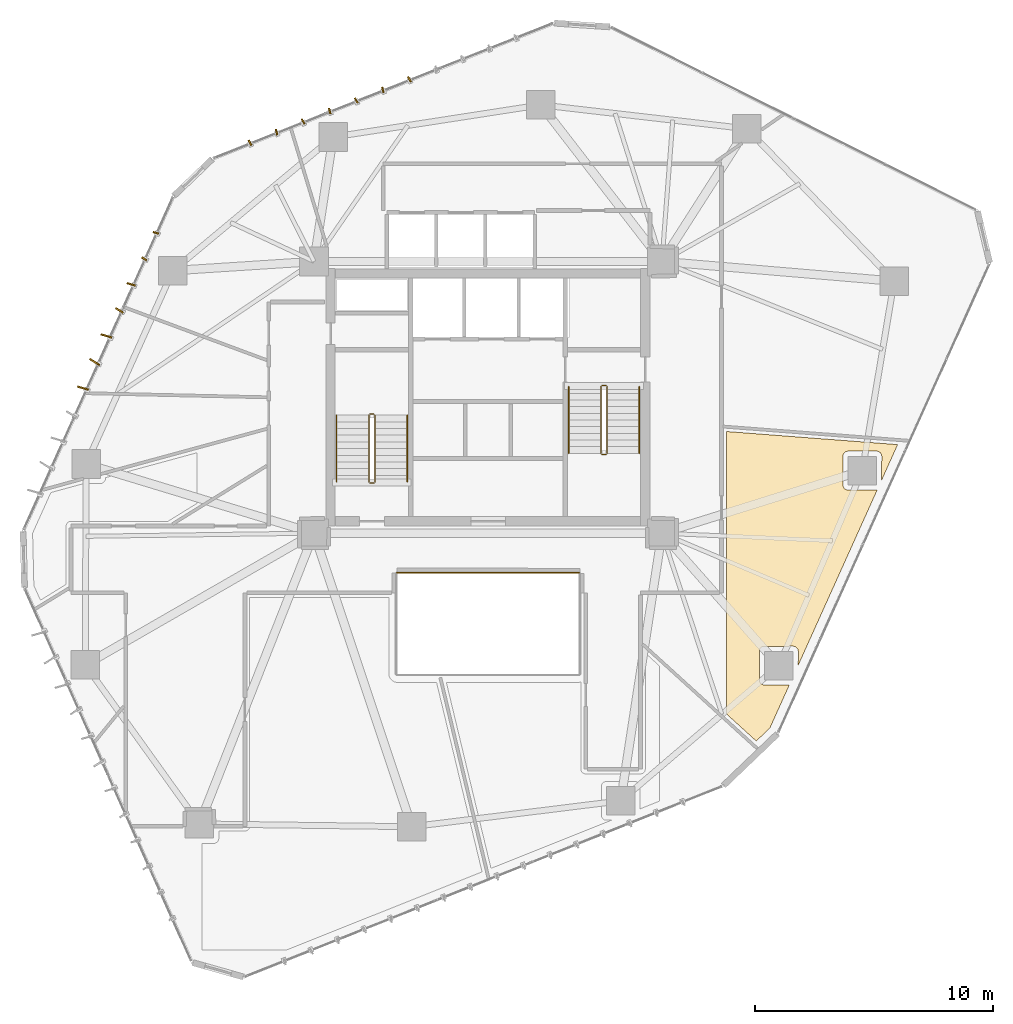
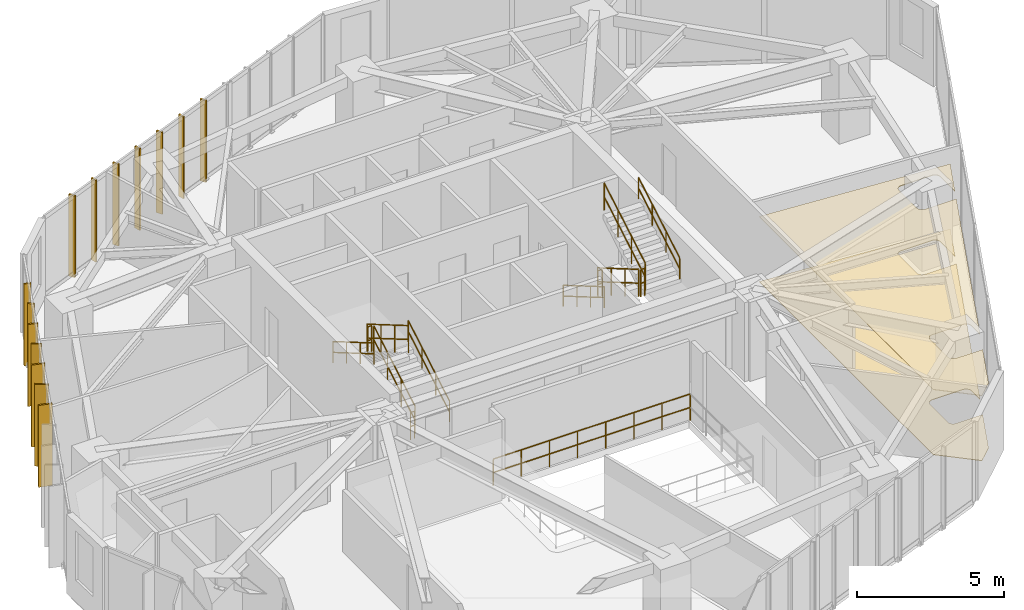
# One storey, part 21 of 22: 14 shading devices, 13 railings, 2 coverings.
"""IFC4 building model written with IfcOpenShell, lengths in metres."""

from ifc_helpers import new_model, si_unit, direction, frame, origin, origin_2d, place, context, subcontext, project, spatial, polyline, rectangle, circle, outline, extrude, source, transform, mapped, material, layer, layer_set, type_object, type_shapes, element, save


model = new_model("IFC4")

# Units and contexts
model_context = context("Model", 3, precision=1e-05, world=origin(), true_north=direction((0.0, 1.0)))
body_context = subcontext(model_context, "Body", "Model", "MODEL_VIEW")
ifc_project = project(units=[si_unit("LENGTHUNIT", "METRE"), si_unit("AREAUNIT", "SQUARE_METRE"), si_unit("VOLUMEUNIT", "CUBIC_METRE"), si_unit("PLANEANGLEUNIT", "RADIAN"), si_unit("MASSUNIT", "GRAM", prefix="KILO")], contexts=[model_context])

# Site, building, storey
site_placement = place(None, origin())
site = spatial("IfcSite", under=ifc_project, at=site_placement, CompositionType="ELEMENT")
building_placement = place(site_placement, origin())
building = spatial("IfcBuilding", under=site, at=building_placement, Name="Talar Marvaseh", CompositionType="ELEMENT")
storey_placement = place(building_placement, frame((0.0, 0.0, 154.199951171875)))
storey = spatial("IfcBuildingStorey", under=building, at=storey_placement, Name="L40", CompositionType="ELEMENT", Elevation=154.199951171875)

# Railings
ifc_material_1 = material(Name="Stainless Steel Grade 316", Category="steel")
railing_type_1 = type_object("IfcRailingType", Name="Brushed Stainless Wall Pitch Handrail 900", PredefinedType="HANDRAIL", material=ifc_material_1)
railing_1_placement = place(storey_placement, frame((22.610107421875, 27.64990234375, 0.16357421875)))
element("IfcRailing", 1, at=railing_1_placement, inside=storey, type_object=railing_type_1, Name="L40 ST-1 stair handrail 1", PredefinedType="HANDRAIL", context=body_context, shape_type="SweptSolid", body=[
    extrude(circle(Radius=0.02392578125, at=origin_2d()), frame((0.0, 0.0, 0.8759765625), z_axis=(0.0, 0.863360870873, 0.504586966384), x_axis=(-1.0, 0.0, 0.0)), (0.0, 0.0, 1.0), 3.2431640625),
    extrude(circle(Radius=0.02392578125, at=origin_2d()), frame((0.0, 0.0, 0.42578125), z_axis=(0.0, 0.863360870873, 0.504586966384), x_axis=(-1.0, 0.0, 0.0)), (0.0, 0.0, 1.0), 3.2431640625),
    extrude(circle(Radius=0.02099609375, at=origin_2d()), origin(), (0.0, 0.0, 1.0), 0.851806640625),
    extrude(circle(Radius=0.02099609375, at=origin_2d()), frame((0.0, 0.933349609375, 0.54541015625)), (0.0, 0.0, 1.0), 0.851806640625),
    extrude(circle(Radius=0.02099609375, at=origin_2d()), frame((0.0, 1.86669921875, 1.091064453125)), (0.0, 0.0, 1.0), 0.851806640625),
    extrude(circle(Radius=0.02099609375, at=origin_2d()), frame((0.0, 2.800048828125, 1.636474609375)), (0.0, 0.0, 1.0), 0.851806640625),
])
railing_2_placement = place(storey_placement, frame((19.64990234375, 30.449951171875, 1.963623046875)))
element("IfcRailing", 2, at=railing_2_placement, inside=storey, type_object=railing_type_1, Name="L40 ST-1 stair handrail 2", PredefinedType="HANDRAIL", context=body_context, shape_type="SweptSolid", body=[
    extrude(circle(Radius=0.02392578125, at=origin_2d()), frame((0.0, 0.0, 0.8759765625), z_axis=(0.0, -0.863360870873, 0.504586966384), x_axis=(1.0, 0.0, 0.0)), (0.0, 0.0, 1.0), 3.2431640625),
    extrude(circle(Radius=0.02392578125, at=origin_2d()), frame((0.0, 0.0, 0.42578125), z_axis=(0.0, -0.863360870873, 0.504586966384), x_axis=(1.0, 0.0, 0.0)), (0.0, 0.0, 1.0), 3.2431640625),
    extrude(circle(Radius=0.02099609375, at=origin_2d()), origin(), (0.0, 0.0, 1.0), 0.851806640625),
    extrude(circle(Radius=0.02099609375, at=origin_2d()), frame((0.0, -0.933349609375, 0.54541015625)), (0.0, 0.0, 1.0), 0.851806640625),
    extrude(circle(Radius=0.02099609375, at=origin_2d()), frame((0.0, -1.86669921875, 1.091064453125)), (0.0, 0.0, 1.0), 0.851806640625),
    extrude(circle(Radius=0.02099609375, at=origin_2d()), frame((0.0, -2.800048828125, 1.636474609375)), (0.0, 0.0, 1.0), 0.851806640625),
])
railing_3_placement = place(storey_placement, frame((29.389892578125, 31.64990234375, 0.16357421875)))
element("IfcRailing", 3, at=railing_3_placement, inside=storey, type_object=railing_type_1, Name="L40 ST-2 stair handrail 1", PredefinedType="HANDRAIL", context=body_context, shape_type="SweptSolid", body=[
    extrude(circle(Radius=0.02392578125, at=origin_2d()), frame((0.0, 0.0, 0.8759765625), z_axis=(0.0, -0.863341702679, 0.504619762213), x_axis=(1.0, 0.0, 0.0)), (0.0, 0.0, 1.0), 3.242919921875),
    extrude(circle(Radius=0.02392578125, at=origin_2d()), frame((0.0, 0.0, 0.42578125), z_axis=(0.0, -0.863341702679, 0.504619762213), x_axis=(1.0, 0.0, 0.0)), (0.0, 0.0, 1.0), 3.242919921875),
    extrude(circle(Radius=0.02099609375, at=origin_2d()), origin(), (0.0, 0.0, 1.0), 0.851806640625),
    extrude(circle(Radius=0.02099609375, at=origin_2d()), frame((0.0, -0.933349609375, 0.54541015625)), (0.0, 0.0, 1.0), 0.851806640625),
    extrude(circle(Radius=0.02099609375, at=origin_2d()), frame((0.0, -1.866455078125, 1.091064453125)), (0.0, 0.0, 1.0), 0.851806640625),
    extrude(circle(Radius=0.02099609375, at=origin_2d()), frame((0.0, -2.7998046875, 1.636474609375)), (0.0, 0.0, 1.0), 0.851806640625),
])
railing_4_placement = place(storey_placement, frame((32.35009765625, 28.85009765625, 1.963623046875)))
element("IfcRailing", 4, at=railing_4_placement, inside=storey, type_object=railing_type_1, Name="L40 ST-2 stair handrail 2", PredefinedType="HANDRAIL", context=body_context, shape_type="SweptSolid", body=[
    extrude(circle(Radius=0.02392578125, at=origin_2d()), frame((0.0, 0.0, 0.8759765625), z_axis=(0.0, 0.863341702679, 0.504619762213), x_axis=(-1.0, 0.0, 0.0)), (0.0, 0.0, 1.0), 3.242919921875),
    extrude(circle(Radius=0.02392578125, at=origin_2d()), frame((0.0, 0.0, 0.42578125), z_axis=(0.0, 0.863341702679, 0.504619762213), x_axis=(-1.0, 0.0, 0.0)), (0.0, 0.0, 1.0), 3.242919921875),
    extrude(circle(Radius=0.02099609375, at=origin_2d()), origin(), (0.0, 0.0, 1.0), 0.851806640625),
    extrude(circle(Radius=0.02099609375, at=origin_2d()), frame((0.0, 0.933349609375, 0.54541015625)), (0.0, 0.0, 1.0), 0.851806640625),
    extrude(circle(Radius=0.02099609375, at=origin_2d()), frame((0.0, 1.866455078125, 1.091064453125)), (0.0, 0.0, 1.0), 0.851806640625),
    extrude(circle(Radius=0.02099609375, at=origin_2d()), frame((0.0, 2.7998046875, 1.636474609375)), (0.0, 0.0, 1.0), 0.851806640625),
])
ifc_material_2 = material(Name="Tempered Clear Glass", Category="glass")
railing_type_2 = type_object("IfcRailingType", Name="Interior Atrium Edge Balustrade 1120", PredefinedType="BALUSTRADE", material=ifc_material_2)
railing_5_placement = place(storey_placement, frame((29.8701171875, 23.838623046875, 0.0)))
element("IfcRailing", 5, at=railing_5_placement, inside=storey, type_object=railing_type_2, Name="L40 Internal Daylight Atrium Balustrade 3", PredefinedType="BALUSTRADE", context=body_context, shape_type="SweptSolid", body=[
    extrude(circle(Radius=0.02392578125, at=origin_2d()), frame((0.0, 0.0, 1.09619140625), z_axis=(-1.0, 0.0, 0.0), x_axis=(0.0, -1.0, 0.0)), (0.0, 0.0, 1.0), 7.740234375),
    extrude(circle(Radius=0.02392578125, at=origin_2d()), frame((0.0, 0.0, 0.5361328125), z_axis=(-1.0, 0.0, 0.0), x_axis=(0.0, -1.0, 0.0)), (0.0, 0.0, 1.0), 7.740234375),
    extrude(circle(Radius=0.02099609375, at=origin_2d()), origin(), (0.0, 0.0, 1.0), 1.072021484375),
    extrude(circle(Radius=0.02099609375, at=origin_2d()), frame((-1.105712890625, 0.0, 0.0)), (0.0, 0.0, 1.0), 1.072021484375),
    extrude(circle(Radius=0.02099609375, at=origin_2d()), frame((-2.21142578125, 0.0, 0.0)), (0.0, 0.0, 1.0), 1.072021484375),
    extrude(circle(Radius=0.02099609375, at=origin_2d()), frame((-3.317138671875, 0.0, 0.0)), (0.0, 0.0, 1.0), 1.072021484375),
    extrude(circle(Radius=0.02099609375, at=origin_2d()), frame((-4.423095703125, 0.0, 0.0)), (0.0, 0.0, 1.0), 1.072021484375),
    extrude(circle(Radius=0.02099609375, at=origin_2d()), frame((-5.52880859375, 0.0, 0.0)), (0.0, 0.0, 1.0), 1.072021484375),
    extrude(circle(Radius=0.02099609375, at=origin_2d()), frame((-6.634521484375, 0.0, 0.0)), (0.0, 0.0, 1.0), 1.072021484375),
    extrude(circle(Radius=0.02099609375, at=origin_2d()), frame((-7.740234375, 0.0, 0.0)), (0.0, 0.0, 1.0), 1.072021484375),
])
railing_type_3 = type_object("IfcRailingType", Name="Painted Steel Core Stair Well Guardrail 1150", PredefinedType="GUARDRAIL", material=ifc_material_1)
railing_6_placement = place(storey_placement, frame((21.260009765625, 27.64990234375, 0.16357421875)))
element("IfcRailing", 6, at=railing_6_placement, inside=storey, type_object=railing_type_3, Name="L40 ST-1 stair guard 1", PredefinedType="GUARDRAIL", context=body_context, shape_type="SweptSolid", body=[
    extrude(circle(Radius=0.02392578125, at=origin_2d()), frame((0.0, 0.0, 1.1259765625), z_axis=(0.0, 0.863360870873, 0.504586966384), x_axis=(-1.0, 0.0, 0.0)), (0.0, 0.0, 1.0), 3.2431640625),
    extrude(circle(Radius=0.02392578125, at=origin_2d()), frame((0.0, 0.0, 0.55078125), z_axis=(0.0, 0.863360870873, 0.504586966384), x_axis=(-1.0, 0.0, 0.0)), (0.0, 0.0, 1.0), 3.2431640625),
    extrude(circle(Radius=0.02099609375, at=origin_2d()), origin(), (0.0, 0.0, 1.0), 1.101806640625),
    extrude(circle(Radius=0.02099609375, at=origin_2d()), frame((0.0, 0.933349609375, 0.54541015625)), (0.0, 0.0, 1.0), 1.101806640625),
    extrude(circle(Radius=0.02099609375, at=origin_2d()), frame((0.0, 1.86669921875, 1.091064453125)), (0.0, 0.0, 1.0), 1.101806640625),
    extrude(circle(Radius=0.02099609375, at=origin_2d()), frame((0.0, 2.800048828125, 1.636474609375)), (0.0, 0.0, 1.0), 1.101806640625),
])
railing_7_placement = place(storey_placement, frame((21.2099609375, 30.5, 1.800048828125)))
element("IfcRailing", 7, at=railing_7_placement, inside=storey, type_object=railing_type_3, Name="L40 ST-1 stair guard 2", PredefinedType="GUARDRAIL", context=body_context, shape_type="SweptSolid", body=[
    extrude(circle(Radius=0.02392578125, at=origin_2d()), frame((0.0, 0.0, 1.1259765625), z_axis=(-1.0, 0.0, 0.0), x_axis=(0.0, -1.0, 0.0)), (0.0, 0.0, 1.0), 0.159912109375),
    extrude(circle(Radius=0.02392578125, at=origin_2d()), frame((0.0, 0.0, 0.55078125), z_axis=(-1.0, 0.0, 0.0), x_axis=(0.0, -1.0, 0.0)), (0.0, 0.0, 1.0), 0.159912109375),
    extrude(circle(Radius=0.02099609375, at=origin_2d()), origin(), (0.0, 0.0, 1.0), 1.101806640625),
    extrude(circle(Radius=0.02099609375, at=origin_2d()), frame((-0.159912109375, 0.0, 0.0)), (0.0, 0.0, 1.0), 1.101806640625),
])
railing_8_placement = place(storey_placement, frame((21.0, 30.449951171875, 1.963623046875)))
element("IfcRailing", 8, at=railing_8_placement, inside=storey, type_object=railing_type_3, Name="L40 ST-1 stair guard 3", PredefinedType="GUARDRAIL", context=body_context, shape_type="SweptSolid", body=[
    extrude(circle(Radius=0.02392578125, at=origin_2d()), frame((0.0, 0.0, 1.1259765625), z_axis=(0.0, -0.863360870873, 0.504586966384), x_axis=(1.0, 0.0, 0.0)), (0.0, 0.0, 1.0), 3.2431640625),
    extrude(circle(Radius=0.02392578125, at=origin_2d()), frame((0.0, 0.0, 0.55078125), z_axis=(0.0, -0.863360870873, 0.504586966384), x_axis=(1.0, 0.0, 0.0)), (0.0, 0.0, 1.0), 3.2431640625),
    extrude(circle(Radius=0.02099609375, at=origin_2d()), origin(), (0.0, 0.0, 1.0), 1.101806640625),
    extrude(circle(Radius=0.02099609375, at=origin_2d()), frame((0.0, -0.933349609375, 0.54541015625)), (0.0, 0.0, 1.0), 1.101806640625),
    extrude(circle(Radius=0.02099609375, at=origin_2d()), frame((0.0, -1.86669921875, 1.091064453125)), (0.0, 0.0, 1.0), 1.101806640625),
    extrude(circle(Radius=0.02099609375, at=origin_2d()), frame((0.0, -2.800048828125, 1.636474609375)), (0.0, 0.0, 1.0), 1.101806640625),
])
railing_9_placement = place(storey_placement, frame((21.2099609375, 27.60009765625, 0.0)))
element("IfcRailing", 9, at=railing_9_placement, inside=storey, type_object=railing_type_3, Name="L40 ST-1 stair guard 4", PredefinedType="GUARDRAIL", context=body_context, shape_type="SweptSolid", body=[
    extrude(circle(Radius=0.02392578125, at=origin_2d()), frame((0.0, 0.0, 1.1259765625), z_axis=(-1.0, 0.0, 0.0), x_axis=(0.0, -1.0, 0.0)), (0.0, 0.0, 1.0), 0.159912109375),
    extrude(circle(Radius=0.02392578125, at=origin_2d()), frame((0.0, 0.0, 0.55078125), z_axis=(-1.0, 0.0, 0.0), x_axis=(0.0, -1.0, 0.0)), (0.0, 0.0, 1.0), 0.159912109375),
    extrude(circle(Radius=0.02099609375, at=origin_2d()), origin(), (0.0, 0.0, 1.0), 1.101806640625),
    extrude(circle(Radius=0.02099609375, at=origin_2d()), frame((-0.159912109375, 0.0, 0.0)), (0.0, 0.0, 1.0), 1.101806640625),
])
railing_10_placement = place(storey_placement, frame((30.739990234375, 31.64990234375, 0.16357421875)))
element("IfcRailing", 10, at=railing_10_placement, inside=storey, type_object=railing_type_3, Name="L40 ST-2 stair guard 1", PredefinedType="GUARDRAIL", context=body_context, shape_type="SweptSolid", body=[
    extrude(circle(Radius=0.02392578125, at=origin_2d()), frame((0.0, 0.0, 1.1259765625), z_axis=(0.0, -0.863341702679, 0.504619762213), x_axis=(1.0, 0.0, 0.0)), (0.0, 0.0, 1.0), 3.242919921875),
    extrude(circle(Radius=0.02392578125, at=origin_2d()), frame((0.0, 0.0, 0.55078125), z_axis=(0.0, -0.863341702679, 0.504619762213), x_axis=(1.0, 0.0, 0.0)), (0.0, 0.0, 1.0), 3.242919921875),
    extrude(circle(Radius=0.02099609375, at=origin_2d()), origin(), (0.0, 0.0, 1.0), 1.101806640625),
    extrude(circle(Radius=0.02099609375, at=origin_2d()), frame((0.0, -0.933349609375, 0.54541015625)), (0.0, 0.0, 1.0), 1.101806640625),
    extrude(circle(Radius=0.02099609375, at=origin_2d()), frame((0.0, -1.866455078125, 1.091064453125)), (0.0, 0.0, 1.0), 1.101806640625),
    extrude(circle(Radius=0.02099609375, at=origin_2d()), frame((0.0, -2.7998046875, 1.636474609375)), (0.0, 0.0, 1.0), 1.101806640625),
])
railing_11_placement = place(storey_placement, frame((30.7900390625, 28.800048828125, 1.800048828125)))
element("IfcRailing", 11, at=railing_11_placement, inside=storey, type_object=railing_type_3, Name="L40 ST-2 stair guard 2", PredefinedType="GUARDRAIL", context=body_context, shape_type="SweptSolid", body=[
    extrude(circle(Radius=0.02392578125, at=origin_2d()), frame((0.0, 0.0, 1.1259765625), z_axis=(1.0, 0.0, 0.0), x_axis=(0.0, 1.0, 0.0)), (0.0, 0.0, 1.0), 0.159912109375),
    extrude(circle(Radius=0.02392578125, at=origin_2d()), frame((0.0, 0.0, 0.55078125), z_axis=(1.0, 0.0, 0.0), x_axis=(0.0, 1.0, 0.0)), (0.0, 0.0, 1.0), 0.159912109375),
    extrude(circle(Radius=0.02099609375, at=origin_2d()), origin(), (0.0, 0.0, 1.0), 1.101806640625),
    extrude(circle(Radius=0.02099609375, at=origin_2d()), frame((0.159912109375, 0.0, 0.0)), (0.0, 0.0, 1.0), 1.101806640625),
])
railing_12_placement = place(storey_placement, frame((31.0, 28.85009765625, 1.963623046875)))
element("IfcRailing", 12, at=railing_12_placement, inside=storey, type_object=railing_type_3, Name="L40 ST-2 stair guard 3", PredefinedType="GUARDRAIL", context=body_context, shape_type="SweptSolid", body=[
    extrude(circle(Radius=0.02392578125, at=origin_2d()), frame((0.0, 0.0, 1.1259765625), z_axis=(0.0, 0.863341702679, 0.504619762213), x_axis=(-1.0, 0.0, 0.0)), (0.0, 0.0, 1.0), 3.242919921875),
    extrude(circle(Radius=0.02392578125, at=origin_2d()), frame((0.0, 0.0, 0.55078125), z_axis=(0.0, 0.863341702679, 0.504619762213), x_axis=(-1.0, 0.0, 0.0)), (0.0, 0.0, 1.0), 3.242919921875),
    extrude(circle(Radius=0.02099609375, at=origin_2d()), origin(), (0.0, 0.0, 1.0), 1.101806640625),
    extrude(circle(Radius=0.02099609375, at=origin_2d()), frame((0.0, 0.933349609375, 0.54541015625)), (0.0, 0.0, 1.0), 1.101806640625),
    extrude(circle(Radius=0.02099609375, at=origin_2d()), frame((0.0, 1.866455078125, 1.091064453125)), (0.0, 0.0, 1.0), 1.101806640625),
    extrude(circle(Radius=0.02099609375, at=origin_2d()), frame((0.0, 2.7998046875, 1.636474609375)), (0.0, 0.0, 1.0), 1.101806640625),
])
railing_13_placement = place(storey_placement, frame((30.7900390625, 31.699951171875, 0.0)))
element("IfcRailing", 13, at=railing_13_placement, inside=storey, type_object=railing_type_3, Name="L40 ST-2 stair guard 4", PredefinedType="GUARDRAIL", context=body_context, shape_type="SweptSolid", body=[
    extrude(circle(Radius=0.02392578125, at=origin_2d()), frame((0.0, 0.0, 1.1259765625), z_axis=(1.0, 0.0, 0.0), x_axis=(0.0, 1.0, 0.0)), (0.0, 0.0, 1.0), 0.159912109375),
    extrude(circle(Radius=0.02392578125, at=origin_2d()), frame((0.0, 0.0, 0.55078125), z_axis=(1.0, 0.0, 0.0), x_axis=(0.0, 1.0, 0.0)), (0.0, 0.0, 1.0), 0.159912109375),
    extrude(circle(Radius=0.02099609375, at=origin_2d()), origin(), (0.0, 0.0, 1.0), 1.101806640625),
    extrude(circle(Radius=0.02099609375, at=origin_2d()), frame((0.159912109375, 0.0, 0.0)), (0.0, 0.0, 1.0), 1.101806640625),
])

# Coverings
ifc_material_3 = material(Name="Mineral Fibre Acoustic Ceiling")
ifc_layer_1 = layer(ifc_material_3, 0.02490234375)
ifc_layer_set_1 = layer_set([ifc_layer_1], Name="Mineral Fibre Acoustic Ceiling")
covering_type_1 = type_object("IfcCoveringType", Name="Perforated Mineral Fibre Acoustic Suspended Ceiling", PredefinedType="CEILING", material=ifc_layer_set_1)
covering_1_placement = place(storey_placement, frame((0.0, 0.0, 2.699951171875)))
element("IfcCovering", 14, at=covering_1_placement, inside=storey, type_object=covering_type_1, Name="L40 Cultural Fellowship Office Acoustic Ceiling", PredefinedType="CEILING", context=body_context, shape_type="SweptSolid", body=[
    extrude(outline(polyline([(36.0, 23.0), (36.0, 29.767333984375), (43.190185546875, 29.21728515625), (42.5205078125, 27.731201171875), (42.52392578125, 28.728759765625), (42.523193359375, 28.747314453125), (42.5205078125, 28.765869140625), (42.516357421875, 28.783935546875), (42.510498046875, 28.801513671875), (42.5029296875, 28.818603515625), (42.493896484375, 28.8349609375), (42.4833984375, 28.850341796875), (42.471435546875, 28.864501953125), (42.458251953125, 28.877685546875), (42.443359375, 28.89111328125), (42.428955078125, 28.903076171875), (42.413818359375, 28.913330078125), (42.397705078125, 28.92236328125), (42.380615234375, 28.9296875), (42.363037109375, 28.935546875), (42.34521484375, 28.939697265625), (42.32666015625, 28.942138671875), (42.308349609375, 28.943115234375), (41.09765625, 28.938720703125), (41.078125, 28.9375), (41.058837890625, 28.9345703125), (41.039794921875, 28.9296875), (41.021484375, 28.923095703125), (41.003662109375, 28.914794921875), (40.98681640625, 28.904541015625), (40.97119140625, 28.892822265625), (40.956787109375, 28.8798828125), (40.943603515625, 28.865234375), (40.931884765625, 28.849609375), (40.921875, 28.832763671875), (40.91357421875, 28.81494140625), (40.906982421875, 28.79638671875), (40.902099609375, 28.777587890625), (40.8994140625, 28.75830078125), (40.8984375, 28.738525390625), (40.8984375, 27.517333984375), (40.8994140625, 27.497802734375), (40.902099609375, 27.478515625), (40.906982421875, 27.459228515625), (40.91357421875, 27.44091796875), (40.922119140625, 27.423095703125), (40.93212890625, 27.40625), (40.94384765625, 27.390380859375), (40.95703125, 27.3759765625), (40.971435546875, 27.36279296875), (40.9873046875, 27.35107421875), (41.004150390625, 27.341064453125), (41.02197265625, 27.33251953125), (41.040283203125, 27.325927734375), (41.059326171875, 27.3212890625), (41.078857421875, 27.318359375), (41.098388671875, 27.3173828125), (42.319580078125, 27.3173828125), (42.334228515625, 27.318115234375), (39.018798828125, 19.961181640625), (39.02099609375, 20.541748046875), (39.02001953125, 20.560302734375), (39.017578125, 20.578857421875), (39.01318359375, 20.596923828125), (39.00732421875, 20.614501953125), (39.0, 20.631591796875), (38.990966796875, 20.64794921875), (38.980224609375, 20.663330078125), (38.968505859375, 20.677490234375), (38.955078125, 20.690673828125), (38.940185546875, 20.7041015625), (38.926025390625, 20.716064453125), (38.91064453125, 20.726318359375), (38.89453125, 20.7353515625), (38.877685546875, 20.74267578125), (38.860107421875, 20.74853515625), (38.842041015625, 20.752685546875), (38.82373046875, 20.755126953125), (38.805419921875, 20.756103515625), (37.5947265625, 20.751708984375), (37.5751953125, 20.75048828125), (37.555908203125, 20.74755859375), (37.536865234375, 20.742919921875), (37.518310546875, 20.736083984375), (37.500732421875, 20.727783203125), (37.48388671875, 20.717529296875), (37.46826171875, 20.705810546875), (37.45361328125, 20.69287109375), (37.440673828125, 20.67822265625), (37.428955078125, 20.66259765625), (37.4189453125, 20.645751953125), (37.41064453125, 20.6279296875), (37.404052734375, 20.609619140625), (37.399169921875, 20.590576171875), (37.396484375, 20.5712890625), (37.3955078125, 20.551513671875), (37.3955078125, 19.330322265625), (37.396484375, 19.310791015625), (37.399169921875, 19.29150390625), (37.404052734375, 19.272216796875), (37.41064453125, 19.25390625), (37.4189453125, 19.236083984375), (37.42919921875, 19.21923828125), (37.44091796875, 19.20361328125), (37.4541015625, 19.18896484375), (37.468505859375, 19.17578125), (37.484375, 19.1640625), (37.501220703125, 19.154052734375), (37.518798828125, 19.1455078125), (37.537353515625, 19.138916015625), (37.556396484375, 19.13427734375), (37.57568359375, 19.13134765625), (37.595458984375, 19.13037109375), (38.644287109375, 19.13037109375), (37.831298828125, 17.326416015625), (37.25732421875, 16.777099609375), (36.0, 17.919677734375), (36.0, 23.0)])), origin(), (0.0, 0.0, 1.0), 0.025146484375),
])
ifc_material_4 = material(Name="Porcelain Stoneware Tile", Category="masonry")
ifc_layer_2 = layer(ifc_material_4, 0.02001953125)
ifc_layer_set_2 = layer_set([ifc_layer_2], Name="Porcelain Stoneware Tile")
covering_type_2 = type_object("IfcCoveringType", Name="Polished Porcelain Stoneware Gallery Flooring", PredefinedType="FLOORING", material=ifc_layer_set_2)
covering_2_placement = place(storey_placement, origin())
element("IfcCovering", 15, at=covering_2_placement, inside=storey, type_object=covering_type_2, Name="L40 Cultural Fellowship Office Flooring", PredefinedType="FLOORING", context=body_context, shape_type="SweptSolid", body=[
    extrude(outline(polyline([(36.0, 23.0), (36.0, 29.767333984375), (43.190185546875, 29.21728515625), (42.5205078125, 27.731201171875), (42.52392578125, 28.728759765625), (42.523193359375, 28.747314453125), (42.5205078125, 28.765869140625), (42.516357421875, 28.783935546875), (42.510498046875, 28.801513671875), (42.5029296875, 28.818603515625), (42.493896484375, 28.8349609375), (42.4833984375, 28.850341796875), (42.471435546875, 28.864501953125), (42.458251953125, 28.877685546875), (42.443359375, 28.89111328125), (42.428955078125, 28.903076171875), (42.413818359375, 28.913330078125), (42.397705078125, 28.92236328125), (42.380615234375, 28.9296875), (42.363037109375, 28.935546875), (42.34521484375, 28.939697265625), (42.32666015625, 28.942138671875), (42.308349609375, 28.943115234375), (41.09765625, 28.938720703125), (41.078125, 28.9375), (41.058837890625, 28.9345703125), (41.039794921875, 28.9296875), (41.021484375, 28.923095703125), (41.003662109375, 28.914794921875), (40.98681640625, 28.904541015625), (40.97119140625, 28.892822265625), (40.956787109375, 28.8798828125), (40.943603515625, 28.865234375), (40.931884765625, 28.849609375), (40.921875, 28.832763671875), (40.91357421875, 28.81494140625), (40.906982421875, 28.79638671875), (40.902099609375, 28.777587890625), (40.8994140625, 28.75830078125), (40.8984375, 28.738525390625), (40.8984375, 27.517333984375), (40.8994140625, 27.497802734375), (40.902099609375, 27.478515625), (40.906982421875, 27.459228515625), (40.91357421875, 27.44091796875), (40.922119140625, 27.423095703125), (40.93212890625, 27.40625), (40.94384765625, 27.390380859375), (40.95703125, 27.3759765625), (40.971435546875, 27.36279296875), (40.9873046875, 27.35107421875), (41.004150390625, 27.341064453125), (41.02197265625, 27.33251953125), (41.040283203125, 27.325927734375), (41.059326171875, 27.3212890625), (41.078857421875, 27.318359375), (41.098388671875, 27.3173828125), (42.319580078125, 27.3173828125), (42.334228515625, 27.318115234375), (39.018798828125, 19.961181640625), (39.02099609375, 20.541748046875), (39.02001953125, 20.560302734375), (39.017578125, 20.578857421875), (39.01318359375, 20.596923828125), (39.00732421875, 20.614501953125), (39.0, 20.631591796875), (38.990966796875, 20.64794921875), (38.980224609375, 20.663330078125), (38.968505859375, 20.677490234375), (38.955078125, 20.690673828125), (38.940185546875, 20.7041015625), (38.926025390625, 20.716064453125), (38.91064453125, 20.726318359375), (38.89453125, 20.7353515625), (38.877685546875, 20.74267578125), (38.860107421875, 20.74853515625), (38.842041015625, 20.752685546875), (38.82373046875, 20.755126953125), (38.805419921875, 20.756103515625), (37.5947265625, 20.751708984375), (37.5751953125, 20.75048828125), (37.555908203125, 20.74755859375), (37.536865234375, 20.742919921875), (37.518310546875, 20.736083984375), (37.500732421875, 20.727783203125), (37.48388671875, 20.717529296875), (37.46826171875, 20.705810546875), (37.45361328125, 20.69287109375), (37.440673828125, 20.67822265625), (37.428955078125, 20.66259765625), (37.4189453125, 20.645751953125), (37.41064453125, 20.6279296875), (37.404052734375, 20.609619140625), (37.399169921875, 20.590576171875), (37.396484375, 20.5712890625), (37.3955078125, 20.551513671875), (37.3955078125, 19.330322265625), (37.396484375, 19.310791015625), (37.399169921875, 19.29150390625), (37.404052734375, 19.272216796875), (37.41064453125, 19.25390625), (37.4189453125, 19.236083984375), (37.42919921875, 19.21923828125), (37.44091796875, 19.20361328125), (37.4541015625, 19.18896484375), (37.468505859375, 19.17578125), (37.484375, 19.1640625), (37.501220703125, 19.154052734375), (37.518798828125, 19.1455078125), (37.537353515625, 19.138916015625), (37.556396484375, 19.13427734375), (37.57568359375, 19.13134765625), (37.595458984375, 19.13037109375), (38.644287109375, 19.13037109375), (37.831298828125, 17.326416015625), (37.25732421875, 16.777099609375), (36.0, 17.919677734375), (36.0, 23.0)])), origin(), (0.0, 0.0, 1.0), 0.02001953125),
])

# Shading devices
ifc_material_5 = material(Name="Anodised Champagne Bronze Aluminium", Category="aluminium")
ifc_layer_3 = layer(ifc_material_5, 0.06494140625)
ifc_layer_set_3 = layer_set([ifc_layer_3], Name="Anodised Champagne Bronze Aluminium")
shading_device_type_1 = type_object("IfcShadingDeviceType", Name="Sawtooth Champagne Bronze Vertical Fin 240", PredefinedType="USERDEFINED", material=ifc_layer_set_3)
shared_shape_1 = source(origin(), body_context, "Body", "SweptSolid", [
    extrude(rectangle(XDim=0.239990234375, YDim=0.06494140625, at=origin_2d()), origin(), (0.0, 0.0, 1.0), 3.39990234375),
])
type_shapes(shading_device_type_1, [shared_shape_1])
for number, where, z_axis, x_axis, name in (
    (16, (11.57275390625, 37.0107421875, -0.119873046875), (0.0, 0.0, 1.0), (-0.846379123481, 0.532580866475, 0.0), "L40 Sawtooth Vertical Solar Fin"),
    (17, (12.064453125, 38.10546875, -0.119873046875), (0.0, 0.0, 1.0), (-0.960391013438, 0.278655883317, 0.0), "L40 Sawtooth Vertical Solar Fin"),
    (18, (16.012451171875, 41.885009765625, -0.119873046875), (0.0, 0.0, 1.0), (-0.495155428655, 0.868804409216, 0.0), "L40 Sawtooth Vertical Solar Fin"),
    (19, (17.127685546875, 42.328369140625, -0.119873046875), (0.0, 0.0, 1.0), (-0.236498997024, 0.971631732915, 0.0), "L40 Sawtooth Vertical Solar Fin"),
    (20, (18.24267578125, 42.771728515625, -0.119873046875), (0.0, 0.0, 1.0), (-0.495155428655, 0.868804409216, 0.0), "L40 Sawtooth Vertical Solar Fin"),
    (21, (19.35791015625, 43.215087890625, -0.119873046875), (0.0, 0.0, 1.0), (-0.236498997024, 0.971631732915, 0.0), "L40 Sawtooth Vertical Solar Fin"),
    (22, (20.472900390625, 43.658447265625, -0.119873046875), (0.0, 0.0, 1.0), (-0.495155428655, 0.868804409216, 0.0), "L40 Sawtooth Vertical Solar Fin"),
    (23, (21.587890625, 44.101806640625, -0.119873046875), (0.0, 0.0, 1.0), (-0.236498997024, 0.971631732915, 0.0), "L40 Sawtooth Vertical Solar Fin"),
    (24, (22.703125, 44.545166015625, -0.119873046875), (0.0, 0.0, 1.0), (-0.495155428655, 0.868804409216, 0.0), "L40 Sawtooth Vertical Solar Fin"),
):
    element("IfcShadingDevice", number, at=place(storey_placement, frame(where, z_axis=z_axis, x_axis=x_axis)), inside=storey, type_object=shading_device_type_1, Name=name, ObjectType="FIN", PredefinedType="USERDEFINED", context=body_context, shape_type="MappedRepresentation", body=[
        mapped(shared_shape_1, transform((0.0, 0.0, 0.0), x_axis=(1.0, 0.0, 0.0), y_axis=(0.0, 1.0, 0.0), z_axis=(0.0, 0.0, 1.0), scale=1.0)),
    ])
ifc_layer_4 = layer(ifc_material_5, 0.06494140625)
ifc_layer_set_4 = layer_set([ifc_layer_4], Name="Anodised Champagne Bronze Aluminium")
shading_device_type_2 = type_object("IfcShadingDeviceType", Name="Sawtooth Champagne Bronze Vertical Fin 360", PredefinedType="USERDEFINED", material=ifc_layer_set_4)
shared_shape_2 = source(origin(), body_context, "Body", "SweptSolid", [
    extrude(rectangle(XDim=0.360107421875, YDim=0.06494140625, at=origin_2d()), origin(), (0.0, 0.0, 1.0), 3.39990234375),
])
type_shapes(shading_device_type_2, [shared_shape_2])
for number, where, z_axis, x_axis, name in (
    (25, (10.534912109375, 34.845947265625, -0.119873046875), (0.0, 0.0, 1.0), (-0.846379123481, 0.532580866475, 0.0), "L40 Sawtooth Vertical Solar Fin"),
    (26, (11.026611328125, 35.940673828125, -0.119873046875), (0.0, 0.0, 1.0), (-0.960391013438, 0.278655883317, 0.0), "L40 Sawtooth Vertical Solar Fin"),
):
    element("IfcShadingDevice", number, at=place(storey_placement, frame(where, z_axis=z_axis, x_axis=x_axis)), inside=storey, type_object=shading_device_type_2, Name=name, ObjectType="FIN", PredefinedType="USERDEFINED", context=body_context, shape_type="MappedRepresentation", body=[
        mapped(shared_shape_2, transform((0.0, 0.0, 0.0), x_axis=(1.0, 0.0, 0.0), y_axis=(0.0, 1.0, 0.0), z_axis=(0.0, 0.0, 1.0), scale=1.0)),
    ])
ifc_layer_5 = layer(ifc_material_5, 0.06494140625)
ifc_layer_set_5 = layer_set([ifc_layer_5], Name="Anodised Champagne Bronze Aluminium")
shading_device_type_3 = type_object("IfcShadingDeviceType", Name="Sawtooth Champagne Bronze Vertical Fin 480", PredefinedType="USERDEFINED", material=ifc_layer_set_5)
shared_shape_3 = source(origin(), body_context, "Body", "SweptSolid", [
    extrude(rectangle(XDim=0.47998046875, YDim=0.06494140625, at=origin_2d()), origin(), (0.0, 0.0, 1.0), 3.39990234375),
])
type_shapes(shading_device_type_3, [shared_shape_3])
for number, where, z_axis, x_axis, name in (
    (27, (9.005615234375, 31.58642578125, -0.119873046875), (0.0, 0.0, 1.0), (-0.960391013438, 0.278655883317, 0.0), "L40 Sawtooth Vertical Solar Fin"),
    (28, (9.4970703125, 32.68115234375, -0.119873046875), (0.0, 0.0, 1.0), (-0.846379123481, 0.532580866475, 0.0), "L40 Sawtooth Vertical Solar Fin"),
    (29, (9.988525390625, 33.77587890625, -0.119873046875), (0.0, 0.0, 1.0), (-0.960391013438, 0.278655883317, 0.0), "L40 Sawtooth Vertical Solar Fin"),
):
    element("IfcShadingDevice", number, at=place(storey_placement, frame(where, z_axis=z_axis, x_axis=x_axis)), inside=storey, type_object=shading_device_type_3, Name=name, ObjectType="FIN", PredefinedType="USERDEFINED", context=body_context, shape_type="MappedRepresentation", body=[
        mapped(shared_shape_3, transform((0.0, 0.0, 0.0), x_axis=(1.0, 0.0, 0.0), y_axis=(0.0, 1.0, 0.0), z_axis=(0.0, 0.0, 1.0), scale=1.0)),
    ])

save(model, "model.ifc")
